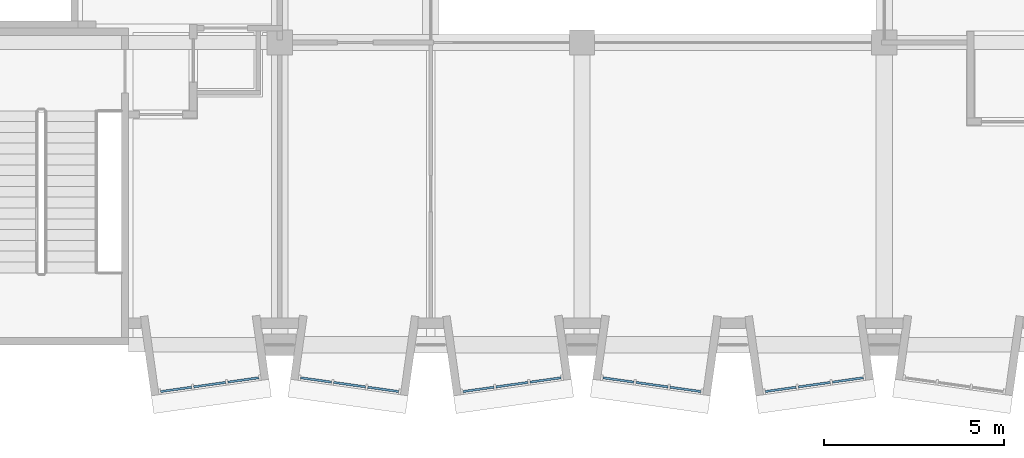
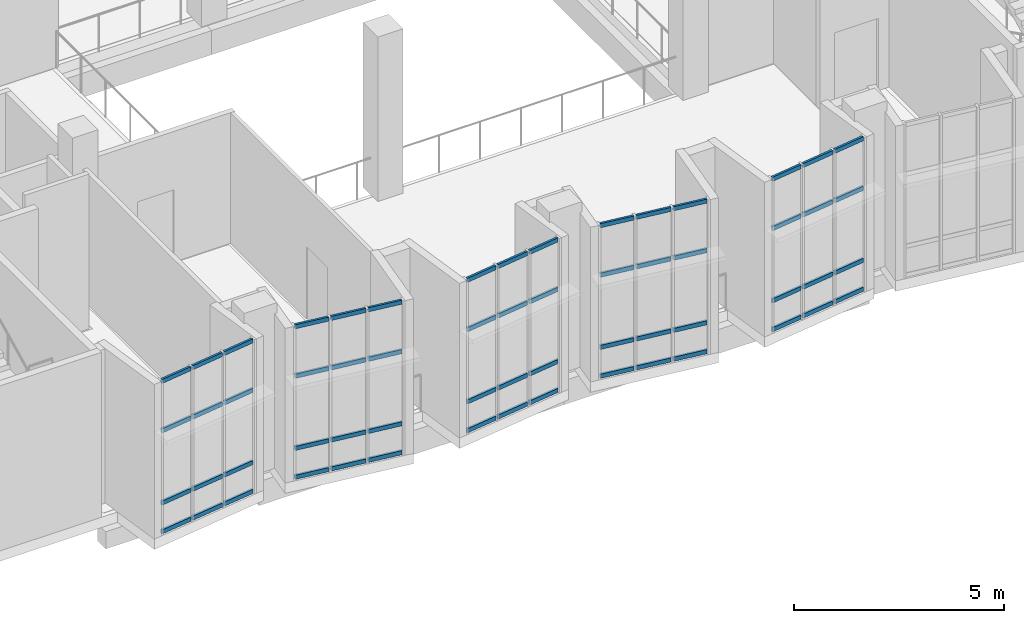
# One storey, part 46 of 100: 60 members, 5 elements without a shape of their own.
"""IFC4 building model written with IfcOpenShell, lengths in metres."""

from ifc_helpers import new_model, si_unit, direction, frame, origin, origin_2d, place, context, subcontext, project, spatial, rectangle, extrude, material, layer, layer_set, material_profile, profile_set, type_object, element, aggregate, save


model = new_model("IFC4")

# Units and contexts
model_context = context("Model", 3, precision=1e-05, world=origin(), true_north=direction((0.0, 1.0)))
body_context = subcontext(model_context, "Body", "Model", "MODEL_VIEW")
ifc_project = project(units=[si_unit("LENGTHUNIT", "METRE"), si_unit("AREAUNIT", "SQUARE_METRE"), si_unit("VOLUMEUNIT", "CUBIC_METRE"), si_unit("PLANEANGLEUNIT", "RADIAN"), si_unit("MASSUNIT", "GRAM", prefix="KILO")], contexts=[model_context])

# Site, building, storey
site_placement = place(None, origin())
site = spatial("IfcSite", under=ifc_project, at=site_placement, CompositionType="ELEMENT")
building_placement = place(site_placement, origin())
building = spatial("IfcBuilding", under=site, at=building_placement, Name="Kiln Court Media Centre", CompositionType="ELEMENT")
storey_placement = place(building_placement, frame((0.0, 0.0, 15.0)))
storey = spatial("IfcBuildingStorey", under=building, at=storey_placement, Name="L03", CompositionType="ELEMENT", Elevation=15.0)

# Curtain wall, members
ifc_material_1 = material(Name="Aluminium 6063-T6", Category="aluminium")
ifc_layer = layer(ifc_material_1, 0.1201171875)
ifc_layer_set = layer_set([ifc_layer], Name="Aluminium unitised bay curtain wall")
curtain_wall_type = type_object("IfcCurtainWallType", Name="Aluminium unitised bay curtain wall", PredefinedType="USERDEFINED", material=ifc_layer_set)
curtain_wall_1_placement = place(storey_placement, origin())
curtain_wall_1 = element("IfcCurtainWall", 1, at=curtain_wall_1_placement, inside=storey, type_object=curtain_wall_type, Name="BAY V6A-S-L03-17 front", ObjectType="UNITISED CURTAIN WALL", PredefinedType="USERDEFINED")
ifc_material_2 = material(Name="Aluminium 6063-T6", Category="aluminium")
ifc_material_profile = material_profile(ifc_material_2, rectangle(XDim=0.06005859375, YDim=0.1201171875, at=origin_2d()), Name="Aluminium transom 60x120")
ifc_profile_set = profile_set([ifc_material_profile], Name="Aluminium 6063-T6")
member_type = type_object("IfcMemberType", Name="Aluminium transom 60x120", PredefinedType="USERDEFINED", material=ifc_profile_set)
member_1_placement = place(storey_placement, frame((5.09423828125, -1.300537109375, 0.06005859375), z_axis=(0.990268108888, 0.139172815303, 0.0), x_axis=(-0.139172815303, 0.990268108888, 0.0)))
member_1 = element("IfcMember", 2, at=member_1_placement, type_object=member_type, Name="CW3-10 transom 1.1", ObjectType="TRANSOM", PredefinedType="USERDEFINED", context=body_context, shape_type="SweptSolid", body=[
    extrude(rectangle(XDim=0.06005859375, YDim=0.1201171875, at=origin_2d()), origin(), (0.0, 0.0, 1.0), 0.86669921875),
])
member_2_placement = place(storey_placement, frame((5.09423828125, -1.300537109375, 0.89990234375), z_axis=(0.990268108888, 0.139172815303, 0.0), x_axis=(-0.139172815303, 0.990268108888, 0.0)))
member_2 = element("IfcMember", 3, at=member_2_placement, type_object=member_type, Name="CW3-10 transom 1.2", ObjectType="TRANSOM", PredefinedType="USERDEFINED", context=body_context, shape_type="SweptSolid", body=[
    extrude(rectangle(XDim=0.06005859375, YDim=0.1201171875, at=origin_2d()), origin(), (0.0, 0.0, 1.0), 0.86669921875),
])
member_3_placement = place(storey_placement, frame((5.09423828125, -1.300537109375, 3.0), z_axis=(0.990268108888, 0.139172815303, 0.0), x_axis=(-0.139172815303, 0.990268108888, 0.0)))
member_3 = element("IfcMember", 4, at=member_3_placement, type_object=member_type, Name="CW3-10 transom 1.3", ObjectType="TRANSOM", PredefinedType="USERDEFINED", context=body_context, shape_type="SweptSolid", body=[
    extrude(rectangle(XDim=0.06005859375, YDim=0.1201171875, at=origin_2d()), origin(), (0.0, 0.0, 1.0), 0.86669921875),
])
member_4_placement = place(storey_placement, frame((5.09423828125, -1.300537109375, 4.43994140625), z_axis=(0.990268108888, 0.139172815303, 0.0), x_axis=(-0.139172815303, 0.990268108888, 0.0)))
member_4 = element("IfcMember", 5, at=member_4_placement, type_object=member_type, Name="CW3-10 transom 1.4", ObjectType="TRANSOM", PredefinedType="USERDEFINED", context=body_context, shape_type="SweptSolid", body=[
    extrude(rectangle(XDim=0.06005859375, YDim=0.1201171875, at=origin_2d()), origin(), (0.0, 0.0, 1.0), 0.86669921875),
])
member_5_placement = place(storey_placement, frame((6.011962890625, -1.17138671875, 0.06005859375), z_axis=(0.990273584723, 0.13913384707, 0.0), x_axis=(-0.13913384707, 0.990273584723, 0.0)))
member_5 = element("IfcMember", 6, at=member_5_placement, type_object=member_type, Name="CW3-10 transom 2.1", ObjectType="TRANSOM", PredefinedType="USERDEFINED", context=body_context, shape_type="SweptSolid", body=[
    extrude(rectangle(XDim=0.06005859375, YDim=0.1201171875, at=origin_2d()), origin(), (0.0, 0.0, 1.0), 0.896728515625),
])
member_6_placement = place(storey_placement, frame((6.011962890625, -1.17138671875, 0.89990234375), z_axis=(0.990273584723, 0.13913384707, 0.0), x_axis=(-0.13913384707, 0.990273584723, 0.0)))
member_6 = element("IfcMember", 7, at=member_6_placement, type_object=member_type, Name="CW3-10 transom 2.2", ObjectType="TRANSOM", PredefinedType="USERDEFINED", context=body_context, shape_type="SweptSolid", body=[
    extrude(rectangle(XDim=0.06005859375, YDim=0.1201171875, at=origin_2d()), origin(), (0.0, 0.0, 1.0), 0.896728515625),
])
member_7_placement = place(storey_placement, frame((6.011962890625, -1.17138671875, 3.0), z_axis=(0.990273584723, 0.13913384707, 0.0), x_axis=(-0.13913384707, 0.990273584723, 0.0)))
member_7 = element("IfcMember", 8, at=member_7_placement, type_object=member_type, Name="CW3-10 transom 2.3", ObjectType="TRANSOM", PredefinedType="USERDEFINED", context=body_context, shape_type="SweptSolid", body=[
    extrude(rectangle(XDim=0.06005859375, YDim=0.1201171875, at=origin_2d()), origin(), (0.0, 0.0, 1.0), 0.896728515625),
])
member_8_placement = place(storey_placement, frame((6.011962890625, -1.17138671875, 4.43994140625), z_axis=(0.990273584723, 0.13913384707, 0.0), x_axis=(-0.13913384707, 0.990273584723, 0.0)))
member_8 = element("IfcMember", 9, at=member_8_placement, type_object=member_type, Name="CW3-10 transom 2.4", ObjectType="TRANSOM", PredefinedType="USERDEFINED", context=body_context, shape_type="SweptSolid", body=[
    extrude(rectangle(XDim=0.06005859375, YDim=0.1201171875, at=origin_2d()), origin(), (0.0, 0.0, 1.0), 0.896728515625),
])
member_9_placement = place(storey_placement, frame((6.959228515625, -1.038330078125, 0.06005859375), z_axis=(0.990268108888, 0.139172815303, 0.0), x_axis=(-0.139172815303, 0.990268108888, 0.0)))
member_9 = element("IfcMember", 10, at=member_9_placement, type_object=member_type, Name="CW3-10 transom 3.1", ObjectType="TRANSOM", PredefinedType="USERDEFINED", context=body_context, shape_type="SweptSolid", body=[
    extrude(rectangle(XDim=0.06005859375, YDim=0.1201171875, at=origin_2d()), origin(), (0.0, 0.0, 1.0), 0.86669921875),
])
member_10_placement = place(storey_placement, frame((6.959228515625, -1.038330078125, 0.89990234375), z_axis=(0.990268108888, 0.139172815303, 0.0), x_axis=(-0.139172815303, 0.990268108888, 0.0)))
member_10 = element("IfcMember", 11, at=member_10_placement, type_object=member_type, Name="CW3-10 transom 3.2", ObjectType="TRANSOM", PredefinedType="USERDEFINED", context=body_context, shape_type="SweptSolid", body=[
    extrude(rectangle(XDim=0.06005859375, YDim=0.1201171875, at=origin_2d()), origin(), (0.0, 0.0, 1.0), 0.86669921875),
])
member_11_placement = place(storey_placement, frame((6.959228515625, -1.038330078125, 3.0), z_axis=(0.990268108888, 0.139172815303, 0.0), x_axis=(-0.139172815303, 0.990268108888, 0.0)))
member_11 = element("IfcMember", 12, at=member_11_placement, type_object=member_type, Name="CW3-10 transom 3.3", ObjectType="TRANSOM", PredefinedType="USERDEFINED", context=body_context, shape_type="SweptSolid", body=[
    extrude(rectangle(XDim=0.06005859375, YDim=0.1201171875, at=origin_2d()), origin(), (0.0, 0.0, 1.0), 0.86669921875),
])
member_12_placement = place(storey_placement, frame((6.959228515625, -1.038330078125, 4.43994140625), z_axis=(0.990268108888, 0.139172815303, 0.0), x_axis=(-0.139172815303, 0.990268108888, 0.0)))
member_12 = element("IfcMember", 13, at=member_12_placement, type_object=member_type, Name="CW3-10 transom 3.4", ObjectType="TRANSOM", PredefinedType="USERDEFINED", context=body_context, shape_type="SweptSolid", body=[
    extrude(rectangle(XDim=0.06005859375, YDim=0.1201171875, at=origin_2d()), origin(), (0.0, 0.0, 1.0), 0.86669921875),
])
aggregate(curtain_wall_1, [member_1, member_2, member_3, member_4, member_5, member_6, member_7, member_8, member_9, member_10, member_11, member_12])

curtain_wall_2_placement = place(storey_placement, origin())
curtain_wall_2 = element("IfcCurtainWall", 14, at=curtain_wall_2_placement, inside=storey, type_object=curtain_wall_type, Name="BAY V6A-S-L03-18 front", ObjectType="UNITISED CURTAIN WALL", PredefinedType="USERDEFINED")
member_13_placement = place(storey_placement, frame((8.982421875, -0.917724609375, 0.06005859375), z_axis=(0.990273563383, -0.139133998951, 0.0), x_axis=(0.139133998951, 0.990273563383, 0.0)))
member_13 = element("IfcMember", 15, at=member_13_placement, type_object=member_type, Name="CW3-11 transom 1.1", ObjectType="TRANSOM", PredefinedType="USERDEFINED", context=body_context, shape_type="SweptSolid", body=[
    extrude(rectangle(XDim=0.06005859375, YDim=0.1201171875, at=origin_2d()), origin(), (0.0, 0.0, 1.0), 0.866943359375),
])
member_14_placement = place(storey_placement, frame((8.982421875, -0.917724609375, 0.89990234375), z_axis=(0.990273563383, -0.139133998951, 0.0), x_axis=(0.139133998951, 0.990273563383, 0.0)))
member_14 = element("IfcMember", 16, at=member_14_placement, type_object=member_type, Name="CW3-11 transom 1.2", ObjectType="TRANSOM", PredefinedType="USERDEFINED", context=body_context, shape_type="SweptSolid", body=[
    extrude(rectangle(XDim=0.06005859375, YDim=0.1201171875, at=origin_2d()), origin(), (0.0, 0.0, 1.0), 0.866943359375),
])
member_15_placement = place(storey_placement, frame((8.982421875, -0.917724609375, 3.0), z_axis=(0.990273563383, -0.139133998951, 0.0), x_axis=(0.139133998951, 0.990273563383, 0.0)))
member_15 = element("IfcMember", 17, at=member_15_placement, type_object=member_type, Name="CW3-11 transom 1.3", ObjectType="TRANSOM", PredefinedType="USERDEFINED", context=body_context, shape_type="SweptSolid", body=[
    extrude(rectangle(XDim=0.06005859375, YDim=0.1201171875, at=origin_2d()), origin(), (0.0, 0.0, 1.0), 0.866943359375),
])
member_16_placement = place(storey_placement, frame((8.982421875, -0.917724609375, 4.43994140625), z_axis=(0.990273563383, -0.139133998951, 0.0), x_axis=(0.139133998951, 0.990273563383, 0.0)))
member_16 = element("IfcMember", 18, at=member_16_placement, type_object=member_type, Name="CW3-11 transom 1.4", ObjectType="TRANSOM", PredefinedType="USERDEFINED", context=body_context, shape_type="SweptSolid", body=[
    extrude(rectangle(XDim=0.06005859375, YDim=0.1201171875, at=origin_2d()), origin(), (0.0, 0.0, 1.0), 0.866943359375),
])
member_17_placement = place(storey_placement, frame((9.900146484375, -1.046630859375, 0.06005859375), z_axis=(0.990273584723, -0.13913384707, 0.0), x_axis=(0.13913384707, 0.990273584723, 0.0)))
member_17 = element("IfcMember", 19, at=member_17_placement, type_object=member_type, Name="CW3-11 transom 2.1", ObjectType="TRANSOM", PredefinedType="USERDEFINED", context=body_context, shape_type="SweptSolid", body=[
    extrude(rectangle(XDim=0.06005859375, YDim=0.1201171875, at=origin_2d()), origin(), (0.0, 0.0, 1.0), 0.896728515625),
])
member_18_placement = place(storey_placement, frame((9.900146484375, -1.046630859375, 0.89990234375), z_axis=(0.990273584723, -0.13913384707, 0.0), x_axis=(0.13913384707, 0.990273584723, 0.0)))
member_18 = element("IfcMember", 20, at=member_18_placement, type_object=member_type, Name="CW3-11 transom 2.2", ObjectType="TRANSOM", PredefinedType="USERDEFINED", context=body_context, shape_type="SweptSolid", body=[
    extrude(rectangle(XDim=0.06005859375, YDim=0.1201171875, at=origin_2d()), origin(), (0.0, 0.0, 1.0), 0.896728515625),
])
member_19_placement = place(storey_placement, frame((9.900146484375, -1.046630859375, 3.0), z_axis=(0.990273584723, -0.13913384707, 0.0), x_axis=(0.13913384707, 0.990273584723, 0.0)))
member_19 = element("IfcMember", 21, at=member_19_placement, type_object=member_type, Name="CW3-11 transom 2.3", ObjectType="TRANSOM", PredefinedType="USERDEFINED", context=body_context, shape_type="SweptSolid", body=[
    extrude(rectangle(XDim=0.06005859375, YDim=0.1201171875, at=origin_2d()), origin(), (0.0, 0.0, 1.0), 0.896728515625),
])
member_20_placement = place(storey_placement, frame((9.900146484375, -1.046630859375, 4.43994140625), z_axis=(0.990273584723, -0.13913384707, 0.0), x_axis=(0.13913384707, 0.990273584723, 0.0)))
member_20 = element("IfcMember", 22, at=member_20_placement, type_object=member_type, Name="CW3-11 transom 2.4", ObjectType="TRANSOM", PredefinedType="USERDEFINED", context=body_context, shape_type="SweptSolid", body=[
    extrude(rectangle(XDim=0.06005859375, YDim=0.1201171875, at=origin_2d()), origin(), (0.0, 0.0, 1.0), 0.896728515625),
])
member_21_placement = place(storey_placement, frame((10.84765625, -1.179931640625, 0.06005859375), z_axis=(0.990268108888, -0.139172815303, 0.0), x_axis=(0.139172815303, 0.990268108888, 0.0)))
member_21 = element("IfcMember", 23, at=member_21_placement, type_object=member_type, Name="CW3-11 transom 3.1", ObjectType="TRANSOM", PredefinedType="USERDEFINED", context=body_context, shape_type="SweptSolid", body=[
    extrude(rectangle(XDim=0.06005859375, YDim=0.1201171875, at=origin_2d()), origin(), (0.0, 0.0, 1.0), 0.86669921875),
])
member_22_placement = place(storey_placement, frame((10.84765625, -1.179931640625, 0.89990234375), z_axis=(0.990268108888, -0.139172815303, 0.0), x_axis=(0.139172815303, 0.990268108888, 0.0)))
member_22 = element("IfcMember", 24, at=member_22_placement, type_object=member_type, Name="CW3-11 transom 3.2", ObjectType="TRANSOM", PredefinedType="USERDEFINED", context=body_context, shape_type="SweptSolid", body=[
    extrude(rectangle(XDim=0.06005859375, YDim=0.1201171875, at=origin_2d()), origin(), (0.0, 0.0, 1.0), 0.86669921875),
])
member_23_placement = place(storey_placement, frame((10.84765625, -1.179931640625, 3.0), z_axis=(0.990268108888, -0.139172815303, 0.0), x_axis=(0.139172815303, 0.990268108888, 0.0)))
member_23 = element("IfcMember", 25, at=member_23_placement, type_object=member_type, Name="CW3-11 transom 3.3", ObjectType="TRANSOM", PredefinedType="USERDEFINED", context=body_context, shape_type="SweptSolid", body=[
    extrude(rectangle(XDim=0.06005859375, YDim=0.1201171875, at=origin_2d()), origin(), (0.0, 0.0, 1.0), 0.86669921875),
])
member_24_placement = place(storey_placement, frame((10.84765625, -1.179931640625, 4.43994140625), z_axis=(0.990268108888, -0.139172815303, 0.0), x_axis=(0.139172815303, 0.990268108888, 0.0)))
member_24 = element("IfcMember", 26, at=member_24_placement, type_object=member_type, Name="CW3-11 transom 3.4", ObjectType="TRANSOM", PredefinedType="USERDEFINED", context=body_context, shape_type="SweptSolid", body=[
    extrude(rectangle(XDim=0.06005859375, YDim=0.1201171875, at=origin_2d()), origin(), (0.0, 0.0, 1.0), 0.86669921875),
])
aggregate(curtain_wall_2, [member_13, member_14, member_15, member_16, member_17, member_18, member_19, member_20, member_21, member_22, member_23, member_24])

curtain_wall_3_placement = place(storey_placement, origin())
curtain_wall_3 = element("IfcCurtainWall", 27, at=curtain_wall_3_placement, inside=storey, type_object=curtain_wall_type, Name="BAY V6A-S-L03-19 front", ObjectType="UNITISED CURTAIN WALL", PredefinedType="USERDEFINED")
member_25_placement = place(storey_placement, frame((13.494140625, -1.300537109375, 0.06005859375), z_axis=(0.990273563383, 0.139133998951, 0.0), x_axis=(-0.139133998951, 0.990273563383, 0.0)))
member_25 = element("IfcMember", 28, at=member_25_placement, type_object=member_type, Name="CW3-12 transom 1.1", ObjectType="TRANSOM", PredefinedType="USERDEFINED", context=body_context, shape_type="SweptSolid", body=[
    extrude(rectangle(XDim=0.06005859375, YDim=0.1201171875, at=origin_2d()), origin(), (0.0, 0.0, 1.0), 0.866943359375),
])
member_26_placement = place(storey_placement, frame((13.494140625, -1.300537109375, 0.89990234375), z_axis=(0.990273563383, 0.139133998951, 0.0), x_axis=(-0.139133998951, 0.990273563383, 0.0)))
member_26 = element("IfcMember", 29, at=member_26_placement, type_object=member_type, Name="CW3-12 transom 1.2", ObjectType="TRANSOM", PredefinedType="USERDEFINED", context=body_context, shape_type="SweptSolid", body=[
    extrude(rectangle(XDim=0.06005859375, YDim=0.1201171875, at=origin_2d()), origin(), (0.0, 0.0, 1.0), 0.866943359375),
])
member_27_placement = place(storey_placement, frame((13.494140625, -1.300537109375, 3.0), z_axis=(0.990273563383, 0.139133998951, 0.0), x_axis=(-0.139133998951, 0.990273563383, 0.0)))
member_27 = element("IfcMember", 30, at=member_27_placement, type_object=member_type, Name="CW3-12 transom 1.3", ObjectType="TRANSOM", PredefinedType="USERDEFINED", context=body_context, shape_type="SweptSolid", body=[
    extrude(rectangle(XDim=0.06005859375, YDim=0.1201171875, at=origin_2d()), origin(), (0.0, 0.0, 1.0), 0.866943359375),
])
member_28_placement = place(storey_placement, frame((13.494140625, -1.300537109375, 4.43994140625), z_axis=(0.990273563383, 0.139133998951, 0.0), x_axis=(-0.139133998951, 0.990273563383, 0.0)))
member_28 = element("IfcMember", 31, at=member_28_placement, type_object=member_type, Name="CW3-12 transom 1.4", ObjectType="TRANSOM", PredefinedType="USERDEFINED", context=body_context, shape_type="SweptSolid", body=[
    extrude(rectangle(XDim=0.06005859375, YDim=0.1201171875, at=origin_2d()), origin(), (0.0, 0.0, 1.0), 0.866943359375),
])
member_29_placement = place(storey_placement, frame((14.411865234375, -1.17138671875, 0.06005859375), z_axis=(0.990273584723, 0.13913384707, 0.0), x_axis=(-0.13913384707, 0.990273584723, 0.0)))
member_29 = element("IfcMember", 32, at=member_29_placement, type_object=member_type, Name="CW3-12 transom 2.1", ObjectType="TRANSOM", PredefinedType="USERDEFINED", context=body_context, shape_type="SweptSolid", body=[
    extrude(rectangle(XDim=0.06005859375, YDim=0.1201171875, at=origin_2d()), origin(), (0.0, 0.0, 1.0), 0.896728515625),
])
member_30_placement = place(storey_placement, frame((14.411865234375, -1.17138671875, 0.89990234375), z_axis=(0.990273584723, 0.13913384707, 0.0), x_axis=(-0.13913384707, 0.990273584723, 0.0)))
member_30 = element("IfcMember", 33, at=member_30_placement, type_object=member_type, Name="CW3-12 transom 2.2", ObjectType="TRANSOM", PredefinedType="USERDEFINED", context=body_context, shape_type="SweptSolid", body=[
    extrude(rectangle(XDim=0.06005859375, YDim=0.1201171875, at=origin_2d()), origin(), (0.0, 0.0, 1.0), 0.896728515625),
])
member_31_placement = place(storey_placement, frame((14.411865234375, -1.17138671875, 3.0), z_axis=(0.990273584723, 0.13913384707, 0.0), x_axis=(-0.13913384707, 0.990273584723, 0.0)))
member_31 = element("IfcMember", 34, at=member_31_placement, type_object=member_type, Name="CW3-12 transom 2.3", ObjectType="TRANSOM", PredefinedType="USERDEFINED", context=body_context, shape_type="SweptSolid", body=[
    extrude(rectangle(XDim=0.06005859375, YDim=0.1201171875, at=origin_2d()), origin(), (0.0, 0.0, 1.0), 0.896728515625),
])
member_32_placement = place(storey_placement, frame((14.411865234375, -1.17138671875, 4.43994140625), z_axis=(0.990273584723, 0.13913384707, 0.0), x_axis=(-0.13913384707, 0.990273584723, 0.0)))
member_32 = element("IfcMember", 35, at=member_32_placement, type_object=member_type, Name="CW3-12 transom 2.4", ObjectType="TRANSOM", PredefinedType="USERDEFINED", context=body_context, shape_type="SweptSolid", body=[
    extrude(rectangle(XDim=0.06005859375, YDim=0.1201171875, at=origin_2d()), origin(), (0.0, 0.0, 1.0), 0.896728515625),
])
member_33_placement = place(storey_placement, frame((15.359130859375, -1.038330078125, 0.06005859375), z_axis=(0.990273563383, 0.139133998951, 0.0), x_axis=(-0.139133998951, 0.990273563383, 0.0)))
member_33 = element("IfcMember", 36, at=member_33_placement, type_object=member_type, Name="CW3-12 transom 3.1", ObjectType="TRANSOM", PredefinedType="USERDEFINED", context=body_context, shape_type="SweptSolid", body=[
    extrude(rectangle(XDim=0.06005859375, YDim=0.1201171875, at=origin_2d()), origin(), (0.0, 0.0, 1.0), 0.866943359375),
])
member_34_placement = place(storey_placement, frame((15.359130859375, -1.038330078125, 0.89990234375), z_axis=(0.990273563383, 0.139133998951, 0.0), x_axis=(-0.139133998951, 0.990273563383, 0.0)))
member_34 = element("IfcMember", 37, at=member_34_placement, type_object=member_type, Name="CW3-12 transom 3.2", ObjectType="TRANSOM", PredefinedType="USERDEFINED", context=body_context, shape_type="SweptSolid", body=[
    extrude(rectangle(XDim=0.06005859375, YDim=0.1201171875, at=origin_2d()), origin(), (0.0, 0.0, 1.0), 0.866943359375),
])
member_35_placement = place(storey_placement, frame((15.359130859375, -1.038330078125, 3.0), z_axis=(0.990273563383, 0.139133998951, 0.0), x_axis=(-0.139133998951, 0.990273563383, 0.0)))
member_35 = element("IfcMember", 38, at=member_35_placement, type_object=member_type, Name="CW3-12 transom 3.3", ObjectType="TRANSOM", PredefinedType="USERDEFINED", context=body_context, shape_type="SweptSolid", body=[
    extrude(rectangle(XDim=0.06005859375, YDim=0.1201171875, at=origin_2d()), origin(), (0.0, 0.0, 1.0), 0.866943359375),
])
member_36_placement = place(storey_placement, frame((15.359130859375, -1.038330078125, 4.43994140625), z_axis=(0.990273563383, 0.139133998951, 0.0), x_axis=(-0.139133998951, 0.990273563383, 0.0)))
member_36 = element("IfcMember", 39, at=member_36_placement, type_object=member_type, Name="CW3-12 transom 3.4", ObjectType="TRANSOM", PredefinedType="USERDEFINED", context=body_context, shape_type="SweptSolid", body=[
    extrude(rectangle(XDim=0.06005859375, YDim=0.1201171875, at=origin_2d()), origin(), (0.0, 0.0, 1.0), 0.866943359375),
])
aggregate(curtain_wall_3, [member_25, member_26, member_27, member_28, member_29, member_30, member_31, member_32, member_33, member_34, member_35, member_36])

curtain_wall_4_placement = place(storey_placement, origin())
curtain_wall_4 = element("IfcCurtainWall", 40, at=curtain_wall_4_placement, inside=storey, type_object=curtain_wall_type, Name="BAY V6A-S-L03-20 front", ObjectType="UNITISED CURTAIN WALL", PredefinedType="USERDEFINED")
member_37_placement = place(storey_placement, frame((17.382568359375, -0.917724609375, 0.06005859375), z_axis=(0.990268108888, -0.139172815303, 0.0), x_axis=(0.139172815303, 0.990268108888, 0.0)))
member_37 = element("IfcMember", 41, at=member_37_placement, type_object=member_type, Name="CW3-13 transom 1.1", ObjectType="TRANSOM", PredefinedType="USERDEFINED", context=body_context, shape_type="SweptSolid", body=[
    extrude(rectangle(XDim=0.06005859375, YDim=0.1201171875, at=origin_2d()), origin(), (0.0, 0.0, 1.0), 0.86669921875),
])
member_38_placement = place(storey_placement, frame((17.382568359375, -0.917724609375, 0.89990234375), z_axis=(0.990268108888, -0.139172815303, 0.0), x_axis=(0.139172815303, 0.990268108888, 0.0)))
member_38 = element("IfcMember", 42, at=member_38_placement, type_object=member_type, Name="CW3-13 transom 1.2", ObjectType="TRANSOM", PredefinedType="USERDEFINED", context=body_context, shape_type="SweptSolid", body=[
    extrude(rectangle(XDim=0.06005859375, YDim=0.1201171875, at=origin_2d()), origin(), (0.0, 0.0, 1.0), 0.86669921875),
])
member_39_placement = place(storey_placement, frame((17.382568359375, -0.917724609375, 3.0), z_axis=(0.990268108888, -0.139172815303, 0.0), x_axis=(0.139172815303, 0.990268108888, 0.0)))
member_39 = element("IfcMember", 43, at=member_39_placement, type_object=member_type, Name="CW3-13 transom 1.3", ObjectType="TRANSOM", PredefinedType="USERDEFINED", context=body_context, shape_type="SweptSolid", body=[
    extrude(rectangle(XDim=0.06005859375, YDim=0.1201171875, at=origin_2d()), origin(), (0.0, 0.0, 1.0), 0.86669921875),
])
member_40_placement = place(storey_placement, frame((17.382568359375, -0.917724609375, 4.43994140625), z_axis=(0.990268108888, -0.139172815303, 0.0), x_axis=(0.139172815303, 0.990268108888, 0.0)))
member_40 = element("IfcMember", 44, at=member_40_placement, type_object=member_type, Name="CW3-13 transom 1.4", ObjectType="TRANSOM", PredefinedType="USERDEFINED", context=body_context, shape_type="SweptSolid", body=[
    extrude(rectangle(XDim=0.06005859375, YDim=0.1201171875, at=origin_2d()), origin(), (0.0, 0.0, 1.0), 0.86669921875),
])
member_41_placement = place(storey_placement, frame((18.30029296875, -1.046630859375, 0.06005859375), z_axis=(0.990273584723, -0.13913384707, 0.0), x_axis=(0.13913384707, 0.990273584723, 0.0)))
member_41 = element("IfcMember", 45, at=member_41_placement, type_object=member_type, Name="CW3-13 transom 2.1", ObjectType="TRANSOM", PredefinedType="USERDEFINED", context=body_context, shape_type="SweptSolid", body=[
    extrude(rectangle(XDim=0.06005859375, YDim=0.1201171875, at=origin_2d()), origin(), (0.0, 0.0, 1.0), 0.896728515625),
])
member_42_placement = place(storey_placement, frame((18.30029296875, -1.046630859375, 0.89990234375), z_axis=(0.990273584723, -0.13913384707, 0.0), x_axis=(0.13913384707, 0.990273584723, 0.0)))
member_42 = element("IfcMember", 46, at=member_42_placement, type_object=member_type, Name="CW3-13 transom 2.2", ObjectType="TRANSOM", PredefinedType="USERDEFINED", context=body_context, shape_type="SweptSolid", body=[
    extrude(rectangle(XDim=0.06005859375, YDim=0.1201171875, at=origin_2d()), origin(), (0.0, 0.0, 1.0), 0.896728515625),
])
member_43_placement = place(storey_placement, frame((18.30029296875, -1.046630859375, 3.0), z_axis=(0.990273584723, -0.13913384707, 0.0), x_axis=(0.13913384707, 0.990273584723, 0.0)))
member_43 = element("IfcMember", 47, at=member_43_placement, type_object=member_type, Name="CW3-13 transom 2.3", ObjectType="TRANSOM", PredefinedType="USERDEFINED", context=body_context, shape_type="SweptSolid", body=[
    extrude(rectangle(XDim=0.06005859375, YDim=0.1201171875, at=origin_2d()), origin(), (0.0, 0.0, 1.0), 0.896728515625),
])
member_44_placement = place(storey_placement, frame((18.30029296875, -1.046630859375, 4.43994140625), z_axis=(0.990273584723, -0.13913384707, 0.0), x_axis=(0.13913384707, 0.990273584723, 0.0)))
member_44 = element("IfcMember", 48, at=member_44_placement, type_object=member_type, Name="CW3-13 transom 2.4", ObjectType="TRANSOM", PredefinedType="USERDEFINED", context=body_context, shape_type="SweptSolid", body=[
    extrude(rectangle(XDim=0.06005859375, YDim=0.1201171875, at=origin_2d()), origin(), (0.0, 0.0, 1.0), 0.896728515625),
])
member_45_placement = place(storey_placement, frame((19.24755859375, -1.179931640625, 0.06005859375), z_axis=(0.990268108888, -0.139172815303, 0.0), x_axis=(0.139172815303, 0.990268108888, 0.0)))
member_45 = element("IfcMember", 49, at=member_45_placement, type_object=member_type, Name="CW3-13 transom 3.1", ObjectType="TRANSOM", PredefinedType="USERDEFINED", context=body_context, shape_type="SweptSolid", body=[
    extrude(rectangle(XDim=0.06005859375, YDim=0.1201171875, at=origin_2d()), origin(), (0.0, 0.0, 1.0), 0.86669921875),
])
member_46_placement = place(storey_placement, frame((19.24755859375, -1.179931640625, 0.89990234375), z_axis=(0.990268108888, -0.139172815303, 0.0), x_axis=(0.139172815303, 0.990268108888, 0.0)))
member_46 = element("IfcMember", 50, at=member_46_placement, type_object=member_type, Name="CW3-13 transom 3.2", ObjectType="TRANSOM", PredefinedType="USERDEFINED", context=body_context, shape_type="SweptSolid", body=[
    extrude(rectangle(XDim=0.06005859375, YDim=0.1201171875, at=origin_2d()), origin(), (0.0, 0.0, 1.0), 0.86669921875),
])
member_47_placement = place(storey_placement, frame((19.24755859375, -1.179931640625, 3.0), z_axis=(0.990268108888, -0.139172815303, 0.0), x_axis=(0.139172815303, 0.990268108888, 0.0)))
member_47 = element("IfcMember", 51, at=member_47_placement, type_object=member_type, Name="CW3-13 transom 3.3", ObjectType="TRANSOM", PredefinedType="USERDEFINED", context=body_context, shape_type="SweptSolid", body=[
    extrude(rectangle(XDim=0.06005859375, YDim=0.1201171875, at=origin_2d()), origin(), (0.0, 0.0, 1.0), 0.86669921875),
])
member_48_placement = place(storey_placement, frame((19.24755859375, -1.179931640625, 4.43994140625), z_axis=(0.990268108888, -0.139172815303, 0.0), x_axis=(0.139172815303, 0.990268108888, 0.0)))
member_48 = element("IfcMember", 52, at=member_48_placement, type_object=member_type, Name="CW3-13 transom 3.4", ObjectType="TRANSOM", PredefinedType="USERDEFINED", context=body_context, shape_type="SweptSolid", body=[
    extrude(rectangle(XDim=0.06005859375, YDim=0.1201171875, at=origin_2d()), origin(), (0.0, 0.0, 1.0), 0.86669921875),
])
aggregate(curtain_wall_4, [member_37, member_38, member_39, member_40, member_41, member_42, member_43, member_44, member_45, member_46, member_47, member_48])

curtain_wall_5_placement = place(storey_placement, origin())
curtain_wall_5 = element("IfcCurtainWall", 53, at=curtain_wall_5_placement, inside=storey, type_object=curtain_wall_type, Name="BAY V6A-S-L03-21 front", ObjectType="UNITISED CURTAIN WALL", PredefinedType="USERDEFINED")
member_49_placement = place(storey_placement, frame((21.894287109375, -1.300537109375, 0.06005859375), z_axis=(0.990268108888, 0.139172815303, 0.0), x_axis=(-0.139172815303, 0.990268108888, 0.0)))
member_49 = element("IfcMember", 54, at=member_49_placement, type_object=member_type, Name="CW3-14 transom 1.1", ObjectType="TRANSOM", PredefinedType="USERDEFINED", context=body_context, shape_type="SweptSolid", body=[
    extrude(rectangle(XDim=0.06005859375, YDim=0.1201171875, at=origin_2d()), origin(), (0.0, 0.0, 1.0), 0.86669921875),
])
member_50_placement = place(storey_placement, frame((21.894287109375, -1.300537109375, 0.89990234375), z_axis=(0.990268108888, 0.139172815303, 0.0), x_axis=(-0.139172815303, 0.990268108888, 0.0)))
member_50 = element("IfcMember", 55, at=member_50_placement, type_object=member_type, Name="CW3-14 transom 1.2", ObjectType="TRANSOM", PredefinedType="USERDEFINED", context=body_context, shape_type="SweptSolid", body=[
    extrude(rectangle(XDim=0.06005859375, YDim=0.1201171875, at=origin_2d()), origin(), (0.0, 0.0, 1.0), 0.86669921875),
])
member_51_placement = place(storey_placement, frame((21.894287109375, -1.300537109375, 3.0), z_axis=(0.990268108888, 0.139172815303, 0.0), x_axis=(-0.139172815303, 0.990268108888, 0.0)))
member_51 = element("IfcMember", 56, at=member_51_placement, type_object=member_type, Name="CW3-14 transom 1.3", ObjectType="TRANSOM", PredefinedType="USERDEFINED", context=body_context, shape_type="SweptSolid", body=[
    extrude(rectangle(XDim=0.06005859375, YDim=0.1201171875, at=origin_2d()), origin(), (0.0, 0.0, 1.0), 0.86669921875),
])
member_52_placement = place(storey_placement, frame((21.894287109375, -1.300537109375, 4.43994140625), z_axis=(0.990268108888, 0.139172815303, 0.0), x_axis=(-0.139172815303, 0.990268108888, 0.0)))
member_52 = element("IfcMember", 57, at=member_52_placement, type_object=member_type, Name="CW3-14 transom 1.4", ObjectType="TRANSOM", PredefinedType="USERDEFINED", context=body_context, shape_type="SweptSolid", body=[
    extrude(rectangle(XDim=0.06005859375, YDim=0.1201171875, at=origin_2d()), origin(), (0.0, 0.0, 1.0), 0.86669921875),
])
member_53_placement = place(storey_placement, frame((22.811767578125, -1.17138671875, 0.06005859375), z_axis=(0.990273584723, 0.13913384707, 0.0), x_axis=(-0.13913384707, 0.990273584723, 0.0)))
member_53 = element("IfcMember", 58, at=member_53_placement, type_object=member_type, Name="CW3-14 transom 2.1", ObjectType="TRANSOM", PredefinedType="USERDEFINED", context=body_context, shape_type="SweptSolid", body=[
    extrude(rectangle(XDim=0.06005859375, YDim=0.1201171875, at=origin_2d()), origin(), (0.0, 0.0, 1.0), 0.896728515625),
])
member_54_placement = place(storey_placement, frame((22.811767578125, -1.17138671875, 0.89990234375), z_axis=(0.990273584723, 0.13913384707, 0.0), x_axis=(-0.13913384707, 0.990273584723, 0.0)))
member_54 = element("IfcMember", 59, at=member_54_placement, type_object=member_type, Name="CW3-14 transom 2.2", ObjectType="TRANSOM", PredefinedType="USERDEFINED", context=body_context, shape_type="SweptSolid", body=[
    extrude(rectangle(XDim=0.06005859375, YDim=0.1201171875, at=origin_2d()), origin(), (0.0, 0.0, 1.0), 0.896728515625),
])
member_55_placement = place(storey_placement, frame((22.811767578125, -1.17138671875, 3.0), z_axis=(0.990273584723, 0.13913384707, 0.0), x_axis=(-0.13913384707, 0.990273584723, 0.0)))
member_55 = element("IfcMember", 60, at=member_55_placement, type_object=member_type, Name="CW3-14 transom 2.3", ObjectType="TRANSOM", PredefinedType="USERDEFINED", context=body_context, shape_type="SweptSolid", body=[
    extrude(rectangle(XDim=0.06005859375, YDim=0.1201171875, at=origin_2d()), origin(), (0.0, 0.0, 1.0), 0.896728515625),
])
member_56_placement = place(storey_placement, frame((22.811767578125, -1.17138671875, 4.43994140625), z_axis=(0.990273584723, 0.13913384707, 0.0), x_axis=(-0.13913384707, 0.990273584723, 0.0)))
member_56 = element("IfcMember", 61, at=member_56_placement, type_object=member_type, Name="CW3-14 transom 2.4", ObjectType="TRANSOM", PredefinedType="USERDEFINED", context=body_context, shape_type="SweptSolid", body=[
    extrude(rectangle(XDim=0.06005859375, YDim=0.1201171875, at=origin_2d()), origin(), (0.0, 0.0, 1.0), 0.896728515625),
])
member_57_placement = place(storey_placement, frame((23.75927734375, -1.038330078125, 0.06005859375), z_axis=(0.990268108888, 0.139172815303, 0.0), x_axis=(-0.139172815303, 0.990268108888, 0.0)))
member_57 = element("IfcMember", 62, at=member_57_placement, type_object=member_type, Name="CW3-14 transom 3.1", ObjectType="TRANSOM", PredefinedType="USERDEFINED", context=body_context, shape_type="SweptSolid", body=[
    extrude(rectangle(XDim=0.06005859375, YDim=0.1201171875, at=origin_2d()), origin(), (0.0, 0.0, 1.0), 0.86669921875),
])
member_58_placement = place(storey_placement, frame((23.75927734375, -1.038330078125, 0.89990234375), z_axis=(0.990268108888, 0.139172815303, 0.0), x_axis=(-0.139172815303, 0.990268108888, 0.0)))
member_58 = element("IfcMember", 63, at=member_58_placement, type_object=member_type, Name="CW3-14 transom 3.2", ObjectType="TRANSOM", PredefinedType="USERDEFINED", context=body_context, shape_type="SweptSolid", body=[
    extrude(rectangle(XDim=0.06005859375, YDim=0.1201171875, at=origin_2d()), origin(), (0.0, 0.0, 1.0), 0.86669921875),
])
member_59_placement = place(storey_placement, frame((23.75927734375, -1.038330078125, 3.0), z_axis=(0.990268108888, 0.139172815303, 0.0), x_axis=(-0.139172815303, 0.990268108888, 0.0)))
member_59 = element("IfcMember", 64, at=member_59_placement, type_object=member_type, Name="CW3-14 transom 3.3", ObjectType="TRANSOM", PredefinedType="USERDEFINED", context=body_context, shape_type="SweptSolid", body=[
    extrude(rectangle(XDim=0.06005859375, YDim=0.1201171875, at=origin_2d()), origin(), (0.0, 0.0, 1.0), 0.86669921875),
])
member_60_placement = place(storey_placement, frame((23.75927734375, -1.038330078125, 4.43994140625), z_axis=(0.990268108888, 0.139172815303, 0.0), x_axis=(-0.139172815303, 0.990268108888, 0.0)))
member_60 = element("IfcMember", 65, at=member_60_placement, type_object=member_type, Name="CW3-14 transom 3.4", ObjectType="TRANSOM", PredefinedType="USERDEFINED", context=body_context, shape_type="SweptSolid", body=[
    extrude(rectangle(XDim=0.06005859375, YDim=0.1201171875, at=origin_2d()), origin(), (0.0, 0.0, 1.0), 0.86669921875),
])
aggregate(curtain_wall_5, [member_49, member_50, member_51, member_52, member_53, member_54, member_55, member_56, member_57, member_58, member_59, member_60])

save(model, "model.ifc")
